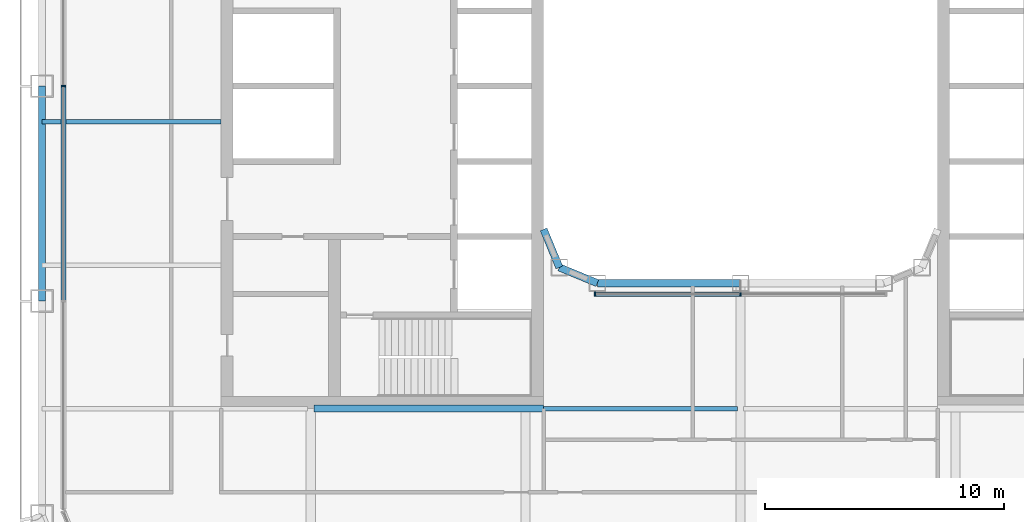
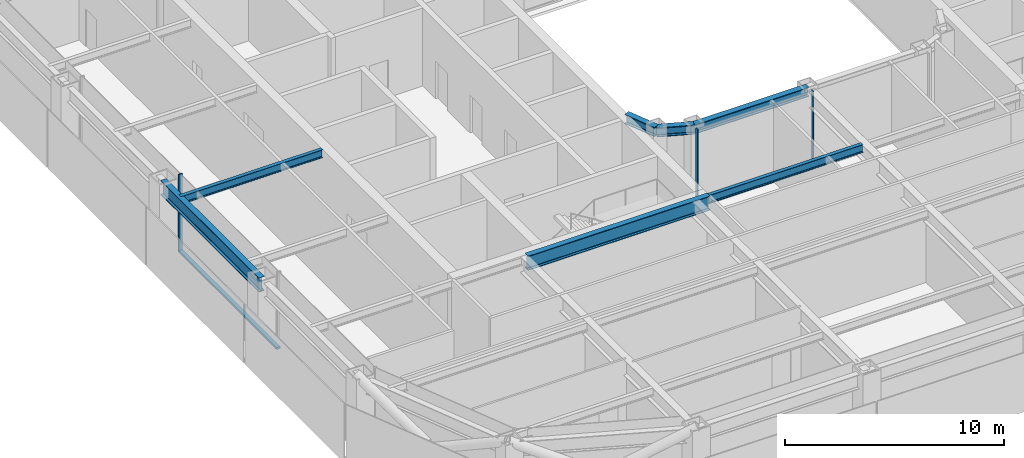
# One storey, part 3 of 23: 7 beams, 5 members, 2 elements without a shape of their own.
"""IFC4 building model written with IfcOpenShell, lengths in metres."""

from ifc_helpers import new_model, si_unit, direction, frame, origin, origin_2d, place, context, subcontext, project, spatial, rectangle, i_section, extrude, material, layer, layer_set, material_profile, profile_set, type_object, element, aggregate, save


model = new_model("IFC4")

# Units and contexts
model_context = context("Model", 3, precision=1e-05, world=origin(), true_north=direction((0.0, 1.0)))
body_context = subcontext(model_context, "Body", "Model", "MODEL_VIEW")
ifc_project = project(units=[si_unit("LENGTHUNIT", "METRE"), si_unit("AREAUNIT", "SQUARE_METRE"), si_unit("VOLUMEUNIT", "CUBIC_METRE"), si_unit("PLANEANGLEUNIT", "RADIAN"), si_unit("MASSUNIT", "GRAM", prefix="KILO")], contexts=[model_context])

# Site, building, storey
site_placement = place(None, origin())
site = spatial("IfcSite", under=ifc_project, at=site_placement, CompositionType="ELEMENT")
building_placement = place(site_placement, origin())
building = spatial("IfcBuilding", under=site, at=building_placement, Name="Siwar Civic Tower", CompositionType="ELEMENT")
storey_placement = place(building_placement, frame((0.0, 0.0, 109.199951171875)))
storey = spatial("IfcBuildingStorey", under=building, at=storey_placement, Name="L23", CompositionType="ELEMENT", Elevation=109.199951171875)

# Curtain wall, member
ifc_material_1 = material(Name="Aluminium and glass", Category="aluminium")
ifc_layer_1 = layer(ifc_material_1, 0.199951171875)
ifc_layer_set_1 = layer_set([ifc_layer_1], Name="Aluminium and glass")
curtain_wall_type_1 = type_object("IfcCurtainWallType", Name="ENV-CW-B", PredefinedType="NOTDEFINED", material=ifc_layer_set_1)
curtain_wall_1_placement = place(storey_placement, origin())
curtain_wall_1 = element("IfcCurtainWall", 1, at=curtain_wall_1_placement, inside=storey, type_object=curtain_wall_type_1, Name="Curtain wall B W", PredefinedType="NOTDEFINED")
ifc_material_2 = material(Name="Aluminium 6063-T6", Category="aluminium")
ifc_material_profile_1 = material_profile(ifc_material_2, rectangle(XDim=0.199951171875, YDim=0.06494140625, at=origin_2d()), Name="AL 200x65")
ifc_profile_set_1 = profile_set([ifc_material_profile_1], Name="Aluminium 6063-T6")
member_type_1 = type_object("IfcMemberType", Name="ENV-MULLION-B", PredefinedType="MULLION", material=ifc_profile_set_1)
member_1_placement = place(storey_placement, frame((-28.35009765625, 0.0, 0.0), z_axis=(0.0, 0.0, 1.0), x_axis=(1.0, 0.0, 0.0)))
member_1 = element("IfcMember", 2, at=member_1_placement, type_object=member_type_1, Name="Mullion B W 3", PredefinedType="MULLION", context=body_context, shape_type="SweptSolid", body=[
    extrude(rectangle(XDim=0.199951171875, YDim=0.06494140625, at=origin_2d()), origin(), (0.0, 0.0, 1.0), 4.35009765625),
])

# Curtain wall, members
ifc_material_3 = material(Name="Aluminium and glass", Category="aluminium")
ifc_layer_2 = layer(ifc_material_3, 0.179931640625)
ifc_layer_set_2 = layer_set([ifc_layer_2], Name="Aluminium and glass")
curtain_wall_type_2 = type_object("IfcCurtainWallType", Name="ENV-CW-W", PredefinedType="NOTDEFINED", material=ifc_layer_set_2)
curtain_wall_2_placement = place(storey_placement, origin())
curtain_wall_2 = element("IfcCurtainWall", 3, at=curtain_wall_2_placement, inside=storey, type_object=curtain_wall_type_2, Name="Curtain wall W WS", PredefinedType="NOTDEFINED")
ifc_material_4 = material(Name="Aluminium 6063-T6", Category="aluminium")
ifc_material_profile_2 = material_profile(ifc_material_4, rectangle(XDim=0.179931640625, YDim=0.06005859375, at=origin_2d()), Name="AL 180x60")
ifc_profile_set_2 = profile_set([ifc_material_profile_2], Name="Aluminium 6063-T6")
member_type_2 = type_object("IfcMemberType", Name="ENV-MULLION-W", PredefinedType="MULLION", material=ifc_profile_set_2)
member_2_placement = place(storey_placement, frame((-6.091552734375, -8.7099609375, 0.0), z_axis=(0.0, 0.0, 1.0), x_axis=(0.0, 1.0, 0.0)))
member_2 = element("IfcMember", 4, at=member_2_placement, type_object=member_type_2, Name="Mullion W WS 1", PredefinedType="MULLION", context=body_context, shape_type="SweptSolid", body=[
    extrude(rectangle(XDim=0.179931640625, YDim=0.06005859375, at=origin_2d()), origin(), (0.0, 0.0, 1.0), 4.35009765625),
])
member_3_placement = place(storey_placement, frame((0.0, -8.7099609375, 0.0), z_axis=(0.0, 0.0, 1.0), x_axis=(0.0, 1.0, 0.0)))
member_3 = element("IfcMember", 5, at=member_3_placement, type_object=member_type_2, Name="Mullion W WS 2", PredefinedType="MULLION", context=body_context, shape_type="SweptSolid", body=[
    extrude(rectangle(XDim=0.179931640625, YDim=0.06005859375, at=origin_2d()), origin(), (0.0, 0.0, 1.0), 4.35009765625),
])

# Member
ifc_material_5 = material(Name="Aluminium 6063-T6", Category="aluminium")
ifc_material_profile_3 = material_profile(ifc_material_5, rectangle(XDim=0.199951171875, YDim=0.110107421875, at=origin_2d()), Name="AL 200x110")
ifc_profile_set_3 = profile_set([ifc_material_profile_3], Name="Aluminium 6063-T6")
member_type_3 = type_object("IfcMemberType", Name="ENV-TRANSOM-B", PredefinedType="USERDEFINED", material=ifc_profile_set_3)
member_4_placement = place(storey_placement, frame((-28.35009765625, -0.032470703125, 0.054931640625), z_axis=(0.0, -1.0, 0.0), x_axis=(1.0, 0.0, 0.0)))
member_4 = element("IfcMember", 6, at=member_4_placement, type_object=member_type_3, Name="Transom B W 3", ObjectType="TRANSOM", PredefinedType="USERDEFINED", context=body_context, shape_type="SweptSolid", body=[
    extrude(rectangle(XDim=0.199951171875, YDim=0.110107421875, at=origin_2d()), origin(), (0.0, 0.0, 1.0), 8.93505859375),
])

aggregate(curtain_wall_1, [member_1, member_4])

ifc_material_6 = material(Name="Aluminium 6063-T6", Category="aluminium")
ifc_material_profile_4 = material_profile(ifc_material_6, rectangle(XDim=0.179931640625, YDim=0.10009765625, at=origin_2d()), Name="AL 180x100")
ifc_profile_set_4 = profile_set([ifc_material_profile_4], Name="Aluminium 6063-T6")
member_type_4 = type_object("IfcMemberType", Name="ENV-TRANSOM-W", PredefinedType="USERDEFINED", material=ifc_profile_set_4)
member_5_placement = place(storey_placement, frame((-6.0615234375, -8.7099609375, 0.050048828125), z_axis=(1.0, 0.0, 0.0), x_axis=(0.0, 1.0, 0.0)))
member_5 = element("IfcMember", 7, at=member_5_placement, type_object=member_type_4, Name="Transom W WS 1", ObjectType="TRANSOM", PredefinedType="USERDEFINED", context=body_context, shape_type="SweptSolid", body=[
    extrude(rectangle(XDim=0.179931640625, YDim=0.10009765625, at=origin_2d()), origin(), (0.0, 0.0, 1.0), 6.031494140625),
])

aggregate(curtain_wall_2, [member_2, member_3, member_5])

# Beams
ifc_material_7 = material(Name="Steel S355", Category="steel")
ifc_material_profile_5 = material_profile(ifc_material_7, i_section(OverallWidth=0.18994140625, OverallDepth=0.449951171875, WebThickness=0.009521484375, FlangeThickness=0.0146484375, FilletRadius=0.02099609375, at=origin_2d()), Name="IPE450")
ifc_profile_set_5 = profile_set([ifc_material_profile_5], Name="Steel S355")
beam_type_1 = type_object("IfcBeamType", Name="STR-FB-IPE450", PredefinedType="JOIST", material=ifc_profile_set_5)
beam_1_placement = place(storey_placement, frame((-8.25, -13.5, 4.125), z_axis=(1.0, 0.0, 0.0), x_axis=(0.0, 1.0, 0.0)))
element("IfcBeam", 8, at=beam_1_placement, inside=storey, type_object=beam_type_1, Name="L23/bm/F016", PredefinedType="JOIST", context=body_context, shape_type="SweptSolid", body=[
    extrude(i_section(OverallWidth=0.18994140625, OverallDepth=0.449951171875, WebThickness=0.009521484375, FlangeThickness=0.0146484375, FilletRadius=0.02099609375, at=origin_2d()), origin(), (0.0, 0.0, 1.0), 8.1201171875),
])
beam_2_placement = place(storey_placement, frame((-29.25, -1.5, 4.125), z_axis=(1.0, 0.0, 0.0), x_axis=(0.0, 1.0, 0.0)))
element("IfcBeam", 9, at=beam_2_placement, inside=storey, type_object=beam_type_1, Name="L23/bm/F023", PredefinedType="JOIST", context=body_context, shape_type="SweptSolid", body=[
    extrude(i_section(OverallWidth=0.18994140625, OverallDepth=0.449951171875, WebThickness=0.009521484375, FlangeThickness=0.0146484375, FilletRadius=0.02099609375, at=origin_2d()), origin(), (0.0, 0.0, 1.0), 7.5),
])
ifc_material_8 = material(Name="Steel S355", Category="steel")
ifc_material_profile_6 = material_profile(ifc_material_8, i_section(OverallWidth=0.300048828125, OverallDepth=0.800048828125, WebThickness=0.017578125, FlangeThickness=0.032958984375, FilletRadius=0.030029296875, at=origin_2d()), Name="HEB800")
ifc_profile_set_6 = profile_set([ifc_material_profile_6], Name="Steel S355")
beam_type_2 = type_object("IfcBeamType", Name="STR-PG-HEB800", PredefinedType="BEAM", material=ifc_profile_set_6)
beam_3_placement = place(storey_placement, frame((-17.8701171875, -13.5, 3.949951171875), z_axis=(1.0, 0.0, 0.0), x_axis=(0.0, 1.0, 0.0)))
element("IfcBeam", 10, at=beam_3_placement, inside=storey, type_object=beam_type_2, Name="L23/bm/F015", PredefinedType="BEAM", context=body_context, shape_type="SweptSolid", body=[
    extrude(i_section(OverallWidth=0.300048828125, OverallDepth=0.800048828125, WebThickness=0.017578125, FlangeThickness=0.032958984375, FilletRadius=0.030029296875, at=origin_2d()), origin(), (0.0, 0.0, 1.0), 9.6201171875),
])
ifc_material_9 = material(Name="Steel S355", Category="steel")
ifc_material_profile_7 = material_profile(ifc_material_9, i_section(OverallWidth=0.305908203125, OverallDepth=0.52392578125, WebThickness=0.02099609375, FlangeThickness=0.0400390625, FilletRadius=0.027099609375, at=origin_2d()), Name="HEM500")
ifc_profile_set_7 = profile_set([ifc_material_profile_7], Name="Steel S355")
beam_type_3 = type_object("IfcBeamType", Name="STR-RB-HEM500", PredefinedType="BEAM", material=ifc_profile_set_7)
beam_4_placement = place(storey_placement, frame((-7.591064453125, -7.591064453125, 4.088134765625), z_axis=(0.923901072997, -0.382631424892, 0.0), x_axis=(0.382631424892, 0.923901072997, 0.0)))
element("IfcBeam", 11, at=beam_4_placement, inside=storey, type_object=beam_type_3, Name="L23/bm/RS0", PredefinedType="BEAM", context=body_context, shape_type="SweptSolid", body=[
    extrude(i_section(OverallWidth=0.305908203125, OverallDepth=0.52392578125, WebThickness=0.02099609375, FlangeThickness=0.0400390625, FilletRadius=0.027099609375, at=origin_2d()), origin(), (0.0, 0.0, 1.0), 1.72216796875),
])
beam_5_placement = place(storey_placement, frame((-6.0, -8.25, 4.088134765625), z_axis=(1.0, 0.0, 0.0), x_axis=(0.0, 1.0, 0.0)))
element("IfcBeam", 12, at=beam_5_placement, inside=storey, type_object=beam_type_3, Name="L23/bm/RS1", PredefinedType="BEAM", context=body_context, shape_type="SweptSolid", body=[
    extrude(i_section(OverallWidth=0.305908203125, OverallDepth=0.52392578125, WebThickness=0.02099609375, FlangeThickness=0.0400390625, FilletRadius=0.027099609375, at=origin_2d()), origin(), (0.0, 0.0, 1.0), 6.0),
])
beam_6_placement = place(storey_placement, frame((-7.591064453125, -7.591064453125, 4.088134765625), z_axis=(-0.382631424892, 0.923901072997, 0.0), x_axis=(-0.923901072997, -0.382631424892, 0.0)))
element("IfcBeam", 13, at=beam_6_placement, inside=storey, type_object=beam_type_3, Name="L23/bm/RSEW", PredefinedType="BEAM", context=body_context, shape_type="SweptSolid", body=[
    extrude(i_section(OverallWidth=0.305908203125, OverallDepth=0.52392578125, WebThickness=0.02099609375, FlangeThickness=0.0400390625, FilletRadius=0.027099609375, at=origin_2d()), origin(), (0.0, 0.0, 1.0), 1.72216796875),
])
ifc_material_10 = material(Name="Steel S355", Category="steel")
ifc_material_profile_8 = material_profile(ifc_material_10, i_section(OverallWidth=0.300048828125, OverallDepth=0.800048828125, WebThickness=0.017578125, FlangeThickness=0.032958984375, FilletRadius=0.030029296875, at=origin_2d()), Name="HEB800")
ifc_profile_set_8 = profile_set([ifc_material_profile_8], Name="Steel S355")
beam_type_4 = type_object("IfcBeamType", Name="STR-SB-HEB800", PredefinedType="BEAM", material=ifc_profile_set_8)
beam_7_placement = place(storey_placement, frame((-29.25, 0.0, 3.949951171875), z_axis=(0.0, -1.0, 0.0), x_axis=(1.0, 0.0, 0.0)))
element("IfcBeam", 14, at=beam_7_placement, inside=storey, type_object=beam_type_4, Name="L23/bm/SW-2", PredefinedType="BEAM", context=body_context, shape_type="SweptSolid", body=[
    extrude(i_section(OverallWidth=0.300048828125, OverallDepth=0.800048828125, WebThickness=0.017578125, FlangeThickness=0.032958984375, FilletRadius=0.030029296875, at=origin_2d()), origin(), (0.0, 0.0, 1.0), 9.0),
])

save(model, "model.ifc")
